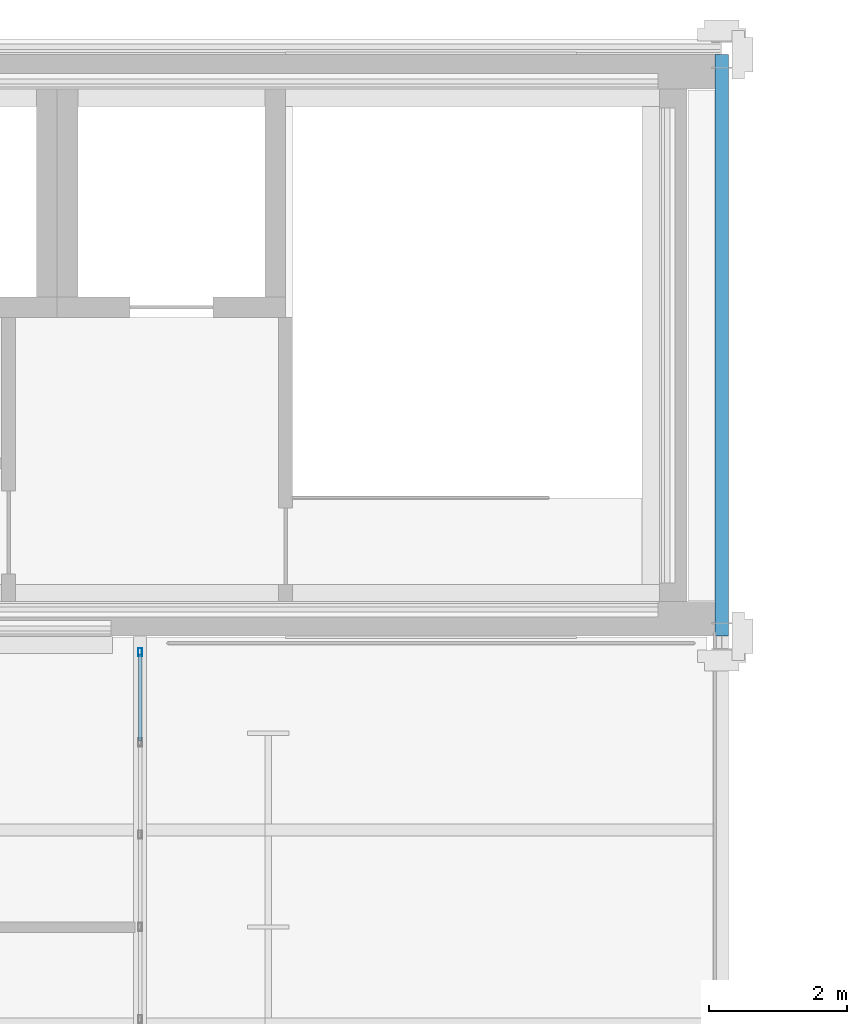
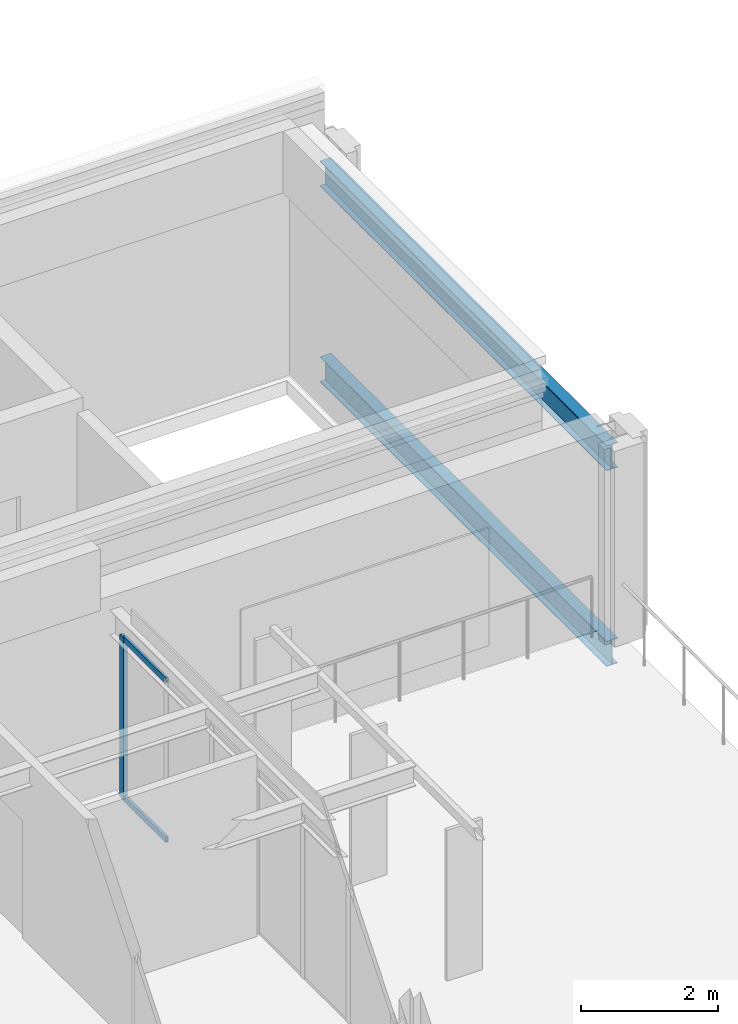
# One storey, part 22 of 31: 3 members, 2 beams, 1 element without a shape of its own.
"""IFC4 building model written with IfcOpenShell, lengths in metres."""

from ifc_helpers import new_model, si_unit, direction, frame, origin, origin_2d, place, context, subcontext, project, spatial, hollow_rectangle, i_section, extrude, material, material_profile, profile_set, type_object, element, aggregate, save


model = new_model("IFC4")

# Units and contexts
model_context = context("Model", 3, precision=1e-05, world=origin(), true_north=direction((0.0, 1.0)))
body_context = subcontext(model_context, "Body", "Model", "MODEL_VIEW")
ifc_project = project(units=[si_unit("LENGTHUNIT", "METRE"), si_unit("AREAUNIT", "SQUARE_METRE"), si_unit("VOLUMEUNIT", "CUBIC_METRE"), si_unit("PLANEANGLEUNIT", "RADIAN"), si_unit("MASSUNIT", "GRAM", prefix="KILO")], contexts=[model_context])

# Site, building, storey
site_placement = place(None, origin())
site = spatial("IfcSite", under=ifc_project, at=site_placement, CompositionType="ELEMENT")
building_placement = place(site_placement, origin())
building = spatial("IfcBuilding", under=site, at=building_placement, Name="Catenary Quay Ferry Terminal", CompositionType="ELEMENT")
storey_placement = place(building_placement, frame((0.0, 0.0, 20.60009765625)))
storey = spatial("IfcBuildingStorey", under=building, at=storey_placement, Name="L04", CompositionType="ELEMENT", Elevation=20.60009765625)

# Beams
ifc_material_1 = material(Name="Steel S355", Category="steel")
ifc_material_profile_1 = material_profile(ifc_material_1, i_section(OverallWidth=0.18994140625, OverallDepth=0.453369140625, WebThickness=0.008544921875, FlangeThickness=0.0126953125, at=origin_2d()), Name="UB 457x191x67")
ifc_profile_set_1 = profile_set([ifc_material_profile_1], Name="Steel S355")
beam_type = type_object("IfcBeamType", Name="B1 UB 457x191x67", PredefinedType="BEAM", material=ifc_profile_set_1)
for number, where, z_axis, x_axis, name in (
    (1, (50.39990234375, 201.60009765625, -0.47705078125), (0.0, 1.0, 0.0), (-1.0, 0.0, 0.0), "Beam B1-021"),
    (2, (50.39990234375, 201.60009765625, 3.02294921875), (0.0, 1.0, 0.0), (-1.0, 0.0, 0.0), "Beam B1-014"),
):
    element("IfcBeam", number, at=place(storey_placement, frame(where, z_axis=z_axis, x_axis=x_axis)), inside=storey, type_object=beam_type, Name=name, PredefinedType="BEAM", context=body_context, shape_type="SweptSolid", body=[
        extrude(i_section(OverallWidth=0.18994140625, OverallDepth=0.453369140625, WebThickness=0.008544921875, FlangeThickness=0.0126953125, at=origin_2d()), origin(), (0.0, 0.0, 1.0), 8.39990234375),
    ])

# Curtain wall, members
ifc_material_2 = material(Name="Aluminium and glass", Category="aluminium")
curtain_wall_type = type_object("IfcCurtainWallType", Name="CWW5", PredefinedType="NOTDEFINED", material=ifc_material_2)
curtain_wall_placement = place(storey_placement, origin())
curtain_wall = element("IfcCurtainWall", 3, at=curtain_wall_placement, inside=storey, type_object=curtain_wall_type, Name="Wing curtain wall CW162", PredefinedType="NOTDEFINED")
ifc_material_3 = material(Name="Aluminium", Category="aluminium")
ifc_material_profile_2 = material_profile(ifc_material_3, hollow_rectangle(XDim=0.06005859375, YDim=0.1201171875, WallThickness=0.0048828125, at=origin_2d()), Name="MU4")
ifc_profile_set_2 = profile_set([ifc_material_profile_2], Name="Aluminium")
member_type_1 = type_object("IfcMemberType", Name="MU4", PredefinedType="MULLION", material=ifc_profile_set_2)
member_1_placement = place(storey_placement, frame((42.0, 201.3701171875, 0.0), z_axis=(0.0, 0.0, 1.0), x_axis=(-1.0, 0.0, 0.0)))
member_1 = element("IfcMember", 4, at=member_1_placement, type_object=member_type_1, Name="CW162 mullion 7", PredefinedType="MULLION", context=body_context, shape_type="SweptSolid", body=[
    extrude(hollow_rectangle(XDim=0.06005859375, YDim=0.1201171875, WallThickness=0.0048828125, at=origin_2d()), origin(), (0.0, 0.0, 1.0), 2.89990234375),
])
ifc_material_4 = material(Name="Aluminium", Category="aluminium")
ifc_material_profile_3 = material_profile(ifc_material_4, hollow_rectangle(XDim=0.050048828125, YDim=0.10009765625, WallThickness=0.00390625, at=origin_2d()), Name="TR4")
ifc_profile_set_3 = profile_set([ifc_material_profile_3], Name="Aluminium")
member_type_2 = type_object("IfcMemberType", Name="TR4", PredefinedType="USERDEFINED", material=ifc_profile_set_3)
member_2_placement = place(storey_placement, frame((42.0, 200.0966796875, 0.02490234375), z_axis=(0.0, 1.0, 0.0), x_axis=(-1.0, 0.0, 0.0)))
member_2 = element("IfcMember", 5, at=member_2_placement, type_object=member_type_2, Name="CW162 transom 6.1", ObjectType="TRANSOM", PredefinedType="USERDEFINED", context=body_context, shape_type="SweptSolid", body=[
    extrude(hollow_rectangle(XDim=0.050048828125, YDim=0.10009765625, WallThickness=0.00390625, at=origin_2d()), origin(), (0.0, 0.0, 1.0), 1.243408203125),
])
member_3_placement = place(storey_placement, frame((42.0, 200.0966796875, 2.875), z_axis=(0.0, 1.0, 0.0), x_axis=(-1.0, 0.0, 0.0)))
member_3 = element("IfcMember", 6, at=member_3_placement, type_object=member_type_2, Name="CW162 transom 6.2", ObjectType="TRANSOM", PredefinedType="USERDEFINED", context=body_context, shape_type="SweptSolid", body=[
    extrude(hollow_rectangle(XDim=0.050048828125, YDim=0.10009765625, WallThickness=0.00390625, at=origin_2d()), origin(), (0.0, 0.0, 1.0), 1.243408203125),
])
aggregate(curtain_wall, [member_1, member_2, member_3])

save(model, "model.ifc")
